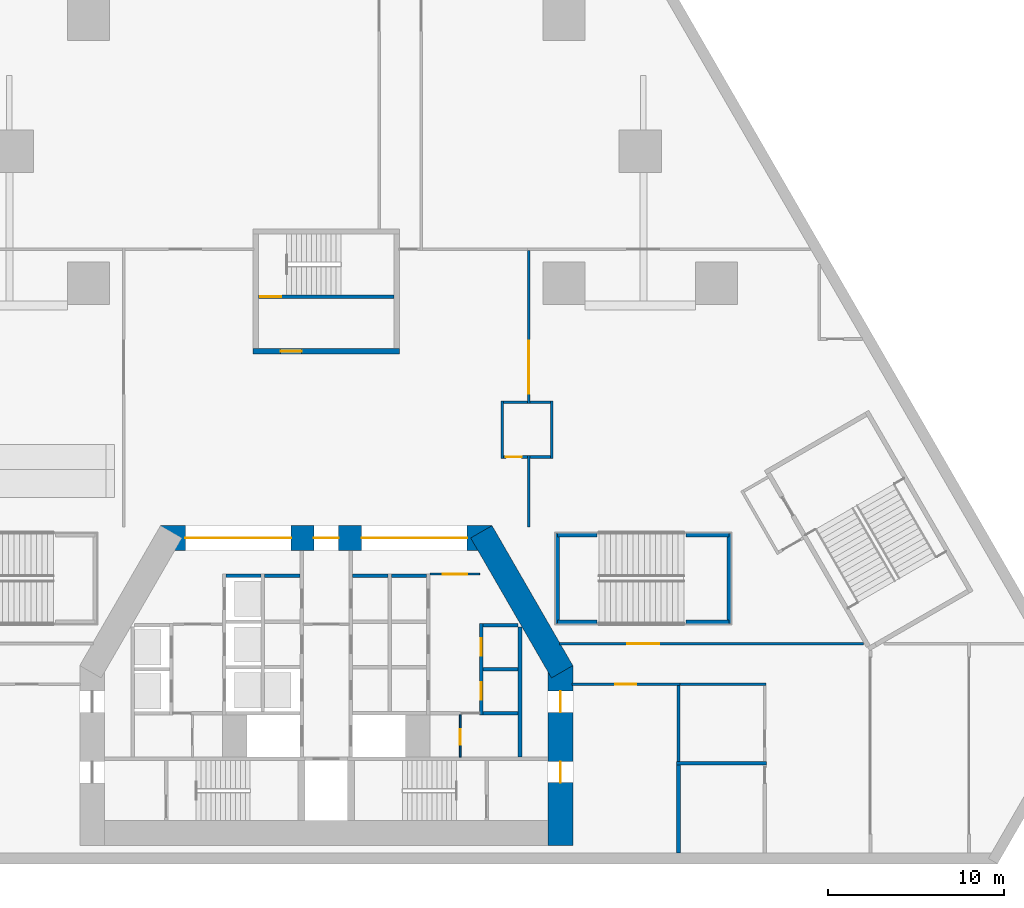
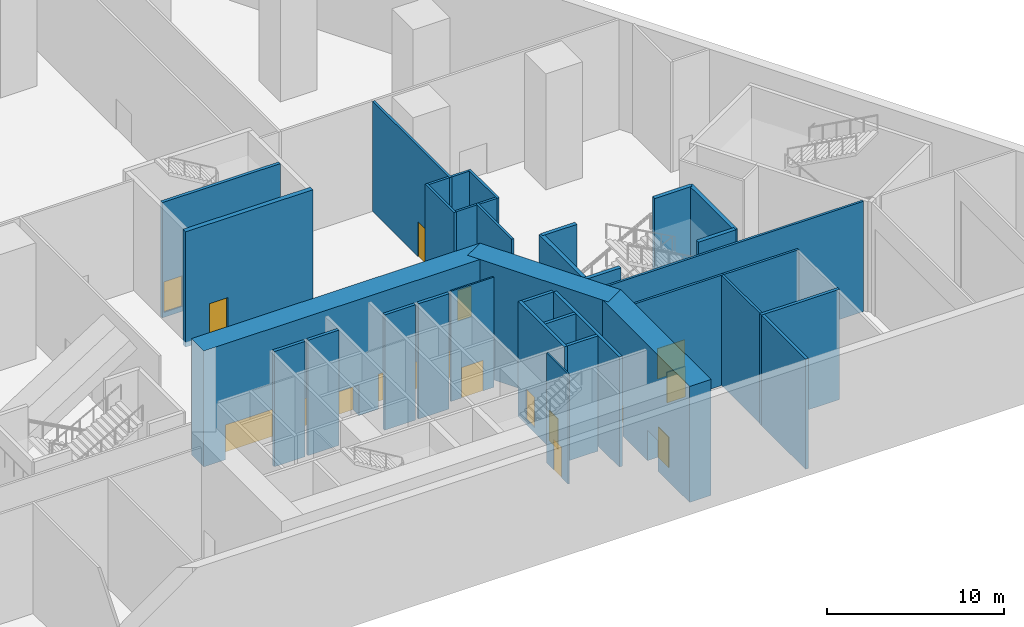
# One storey, part 4 of 11: 36 walls, 15 doors, 15 openings.
"""IFC4 building model written with IfcOpenShell, lengths in metres."""

from ifc_helpers import new_model, si_unit, direction, frame, frame_2d, origin, place, context, subcontext, project, spatial, rectangle, extrude, material, layer, layer_set, type_object, element, fill, save


model = new_model("IFC4")

# Units and contexts
model_context = context("Model", 3, precision=1e-05, world=origin(), true_north=direction((0.0, 1.0)))
body_context = subcontext(model_context, "Body", "Model", "MODEL_VIEW")
ifc_project = project(units=[si_unit("LENGTHUNIT", "METRE"), si_unit("AREAUNIT", "SQUARE_METRE"), si_unit("VOLUMEUNIT", "CUBIC_METRE"), si_unit("PLANEANGLEUNIT", "RADIAN"), si_unit("MASSUNIT", "GRAM", prefix="KILO")], contexts=[model_context])

# Site, building, storey
site_placement = place(None, origin())
site = spatial("IfcSite", under=ifc_project, at=site_placement, CompositionType="ELEMENT")
building_placement = place(site_placement, origin())
building = spatial("IfcBuilding", under=site, at=building_placement, Name="Fogline Exchange Tower", CompositionType="ELEMENT")
storey_placement = place(building_placement, frame((0.0, 0.0, -8.0)))
storey = spatial("IfcBuildingStorey", under=building, at=storey_placement, Name="B1", CompositionType="ELEMENT", Elevation=-8.0)

# Wall, opening, door
ifc_material_1 = material(Name="Blockwork partition", Category="masonry")
ifc_layer_1 = layer(ifc_material_1, 0.10009765625)
ifc_layer_set_1 = layer_set([ifc_layer_1], Name="CW10")
wall_type_1 = type_object("IfcWallType", Name="CW10", PredefinedType="PARTITIONING", material=ifc_layer_set_1)
wall_1_placement = place(storey_placement, frame((5.89990234375, 16.25, 0.0), z_axis=(0.0, 0.0, 1.0), x_axis=(1.0, 0.0, 0.0)))
wall_1 = element("IfcWall", 1, at=wall_1_placement, inside=storey, type_object=wall_type_1, Name="Lift lobby partition", PredefinedType="PARTITIONING", context=body_context, shape_type="SweptSolid", body=[
    extrude(rectangle(XDim=2.800048828125, YDim=0.10009765625, at=frame_2d((1.39990234375, 0.0))), origin(), (0.0, 0.0, 1.0), 7.60009765625),
])
opening_1_placement = place(wall_1_placement, frame((0.699951171875, 0.0, 0.0)))
opening_1 = element("IfcOpeningElement", 2, at=opening_1_placement, cuts=wall_1, Name="Opening B1-C017", PredefinedType="OPENING", context=body_context, shape_type="SweptSolid", body=[
    extrude(rectangle(XDim=1.39990234375, YDim=2.10009765625, at=frame_2d((0.699951171875, 1.050048828125))), frame((0.0, 0.06005859375, 0.0), z_axis=(0.0, -1.0, 0.0), x_axis=(1.0, 0.0, 0.0)), (0.0, 0.0, 1.0), 0.1201171875),
])
ifc_material_2 = material(Name="Steel and timber fire door", Category="steel")
door_type_1 = type_object("IfcDoorType", Name="D-LB1", OperationType="DOUBLE_DOOR_SINGLE_SWING", PredefinedType="DOOR", material=ifc_material_2)
door_1_placement = place(opening_1_placement, origin())
door_1 = element("IfcDoor", 3, at=door_1_placement, inside=storey, type_object=door_type_1, Name="Door to lift lobby", OperationType="DOUBLE_DOOR_SINGLE_SWING", OverallHeight=2.10009765625, OverallWidth=1.39990234375, PredefinedType="DOOR", context=body_context, shape_type="SweptSolid", body=[
    extrude(rectangle(XDim=1.39990234375, YDim=2.10009765625, at=frame_2d((0.699951171875, 1.050048828125))), frame((0.0, 0.02490234375, 0.0), z_axis=(0.0, -1.0, 0.0), x_axis=(1.0, 0.0, 0.0)), (0.0, 0.0, 1.0), 0.050048828125),
])
fill(opening_1, door_1)

wall_2_placement = place(storey_placement, frame((7.60009765625, 5.85009765625, 0.0), z_axis=(0.0, 0.0, 1.0), x_axis=(0.0, 1.0, 0.0)))
wall_2 = element("IfcWall", 4, at=wall_2_placement, inside=storey, type_object=wall_type_1, Name="WC partition", PredefinedType="PARTITIONING", context=body_context, shape_type="SweptSolid", body=[
    extrude(rectangle(XDim=2.39990234375, YDim=0.10009765625, at=frame_2d((1.199951171875, 0.0))), origin(), (0.0, 0.0, 1.0), 7.60009765625),
])
opening_2_placement = place(wall_2_placement, frame((0.699951171875, 0.0, 0.0)))
opening_2 = element("IfcOpeningElement", 5, at=opening_2_placement, cuts=wall_2, Name="Opening B1-C019", PredefinedType="OPENING", context=body_context, shape_type="SweptSolid", body=[
    extrude(rectangle(XDim=0.89990234375, YDim=2.10009765625, at=frame_2d((0.449951171875, 1.050048828125))), frame((0.0, 0.06005859375, 0.0), z_axis=(0.0, -1.0, 0.0), x_axis=(1.0, 0.0, 0.0)), (0.0, 0.0, 1.0), 0.1201171875),
])
door_type_2 = type_object("IfcDoorType", Name="D-CS1", OperationType="SINGLE_SWING_RIGHT", PredefinedType="DOOR", material=ifc_material_2)
door_2_placement = place(opening_2_placement, origin())
door_2 = element("IfcDoor", 6, at=door_2_placement, inside=storey, type_object=door_type_2, Name="Door to Cleaner's Store", OperationType="SINGLE_SWING_LEFT", OverallHeight=2.10009765625, OverallWidth=0.89990234375, PredefinedType="DOOR", context=body_context, shape_type="SweptSolid", body=[
    extrude(rectangle(XDim=0.89990234375, YDim=2.10009765625, at=frame_2d((0.449951171875, 1.050048828125))), frame((0.0, 0.02490234375, 0.0), z_axis=(0.0, -1.0, 0.0), x_axis=(1.0, 0.0, 0.0)), (0.0, 0.0, 1.0), 0.050048828125),
])
fill(opening_2, door_2)

# Wall
ifc_material_3 = material(Name="Concrete C40", Category="concrete")
ifc_layer_2 = layer(ifc_material_3, 0.199951171875)
ifc_layer_set_2 = layer_set([ifc_layer_2], Name="CW20")
wall_type_2 = type_object("IfcWallType", Name="CW20", PredefinedType="SOLIDWALL", material=ifc_layer_set_2)
wall_3_placement = place(storey_placement, frame((11.0, 5.85009765625, 0.0), z_axis=(0.0, 0.0, 1.0), x_axis=(0.0, 1.0, 0.0)))
element("IfcWall", 7, at=wall_3_placement, inside=storey, type_object=wall_type_2, Name="Service room wall", PredefinedType="SOLIDWALL", context=body_context, shape_type="SweptSolid", body=[
    extrude(rectangle(XDim=7.39990234375, YDim=0.199951171875, at=frame_2d((3.699951171875, 0.0))), origin(), (0.0, 0.0, 1.0), 7.60009765625),
])

# Wall, opening, door
ifc_layer_3 = layer(ifc_material_3, 0.199951171875)
ifc_layer_set_3 = layer_set([ifc_layer_3], Name="CW20R")
wall_type_3 = type_object("IfcWallType", Name="CW20R", PredefinedType="SOLIDWALL", material=ifc_layer_set_3)
wall_4_placement = place(storey_placement, frame((-3.85009765625, 32.007080078125, -0.35009765625), z_axis=(0.0, 0.0, 1.0), x_axis=(1.0, 0.0, 0.0)))
wall_4 = element("IfcWall", 8, at=wall_4_placement, inside=storey, type_object=wall_type_3, Name="Stair enclosure wall ST3", PredefinedType="SOLIDWALL", context=body_context, shape_type="SweptSolid", body=[
    extrude(rectangle(XDim=7.7001953125, YDim=0.199951171875, at=frame_2d((3.85009765625, 0.0))), origin(), (0.0, 0.0, 1.0), 7.9501953125),
])
opening_3_placement = place(wall_4_placement, frame((0.10009765625, 0.0, 0.35009765625)))
opening_3 = element("IfcOpeningElement", 9, at=opening_3_placement, cuts=wall_4, Name="Opening B1-C028", PredefinedType="OPENING", context=body_context, shape_type="SweptSolid", body=[
    extrude(rectangle(XDim=1.199951171875, YDim=2.10009765625, at=frame_2d((0.60009765625, 1.050048828125))), frame((0.0, 0.10986328125, 0.0), z_axis=(0.0, -1.0, 0.0), x_axis=(1.0, 0.0, 0.0)), (0.0, 0.0, 1.0), 0.219970703125),
])
door_type_3 = type_object("IfcDoorType", Name="D-ST1", OperationType="SINGLE_SWING_LEFT", PredefinedType="DOOR", material=ifc_material_2)
door_3_placement = place(opening_3_placement, origin())
door_3 = element("IfcDoor", 10, at=door_3_placement, inside=storey, type_object=door_type_3, Name="Stair door ST3", OperationType="SINGLE_SWING_LEFT", OverallHeight=2.10009765625, OverallWidth=1.199951171875, PredefinedType="DOOR", context=body_context, shape_type="SweptSolid", body=[
    extrude(rectangle(XDim=1.199951171875, YDim=2.10009765625, at=frame_2d((0.60009765625, 1.050048828125))), frame((0.0, 0.02490234375, 0.0), z_axis=(0.0, -1.0, 0.0), x_axis=(1.0, 0.0, 0.0)), (0.0, 0.0, 1.0), 0.050048828125),
])
fill(opening_3, door_3)

# Wall, openings, doors
ifc_layer_4 = layer(ifc_material_3, 0.199951171875)
ifc_layer_set_4 = layer_set([ifc_layer_4], Name="CW20S")
wall_type_4 = type_object("IfcWallType", Name="CW20S", PredefinedType="SOLIDWALL", material=ifc_layer_set_4)
wall_5_placement = place(storey_placement, frame((8.800048828125, 8.25, -0.35009765625), z_axis=(0.0, 0.0, 1.0), x_axis=(0.0, 1.0, 0.0)))
wall_5 = element("IfcWall", 11, at=wall_5_placement, inside=storey, type_object=wall_type_4, Name="Lift shaft wall", PredefinedType="SOLIDWALL", context=body_context, shape_type="SweptSolid", body=[
    extrude(rectangle(XDim=5.199951171875, YDim=0.199951171875, at=frame_2d((2.60009765625, 0.0))), origin(), (0.0, 0.0, 1.0), 7.9501953125),
])
opening_4_placement = place(wall_5_placement, frame((0.85009765625, 0.0, 0.35009765625)))
opening_4 = element("IfcOpeningElement", 12, at=opening_4_placement, cuts=wall_5, Name="Opening B1-C003", PredefinedType="OPENING", context=body_context, shape_type="SweptSolid", body=[
    extrude(rectangle(XDim=1.0, YDim=2.10009765625, at=frame_2d((0.5, 1.050048828125))), frame((0.0, 0.10986328125, 0.0), z_axis=(0.0, -1.0, 0.0), x_axis=(1.0, 0.0, 0.0)), (0.0, 0.0, 1.0), 0.219970703125),
])
opening_5_placement = place(wall_5_placement, frame((3.35009765625, 0.0, 0.35009765625)))
opening_5 = element("IfcOpeningElement", 13, at=opening_5_placement, cuts=wall_5, Name="Opening B1-C004", PredefinedType="OPENING", context=body_context, shape_type="SweptSolid", body=[
    extrude(rectangle(XDim=1.0, YDim=2.10009765625, at=frame_2d((0.5, 1.050048828125))), frame((0.0, 0.10986328125, 0.0), z_axis=(0.0, -1.0, 0.0), x_axis=(1.0, 0.0, 0.0)), (0.0, 0.0, 1.0), 0.219970703125),
])
door_type_4 = type_object("IfcDoorType", Name="D-RM1", OperationType="SINGLE_SWING_LEFT", PredefinedType="DOOR", material=ifc_material_2)
door_4_placement = place(opening_4_placement, frame((1.0, 0.0, 0.0), z_axis=(0.0, 0.0, 1.0), x_axis=(-1.0, 0.0, 0.0)))
door_4 = element("IfcDoor", 14, at=door_4_placement, inside=storey, type_object=door_type_4, Name="Door to Stationery Store", OperationType="SINGLE_SWING_LEFT", OverallHeight=2.10009765625, OverallWidth=1.0, PredefinedType="DOOR", context=body_context, shape_type="SweptSolid", body=[
    extrude(rectangle(XDim=1.0, YDim=2.10009765625, at=frame_2d((0.5, 1.050048828125))), frame((0.0, 0.02490234375, 0.0), z_axis=(0.0, -1.0, 0.0), x_axis=(1.0, 0.0, 0.0)), (0.0, 0.0, 1.0), 0.050048828125),
])
fill(opening_4, door_4)
door_5_placement = place(opening_5_placement, frame((1.0, 0.0, 0.0), z_axis=(0.0, 0.0, 1.0), x_axis=(-1.0, 0.0, 0.0)))
door_5 = element("IfcDoor", 15, at=door_5_placement, inside=storey, type_object=door_type_4, Name="Door to Records Store", OperationType="SINGLE_SWING_LEFT", OverallHeight=2.10009765625, OverallWidth=1.0, PredefinedType="DOOR", context=body_context, shape_type="SweptSolid", body=[
    extrude(rectangle(XDim=1.0, YDim=2.10009765625, at=frame_2d((0.5, 1.050048828125))), frame((0.0, 0.02490234375, 0.0), z_axis=(0.0, -1.0, 0.0), x_axis=(1.0, 0.0, 0.0)), (0.0, 0.0, 1.0), 0.050048828125),
])
fill(opening_5, door_5)

# Walls
for number, where, z_axis, x_axis, name in (
    (16, (8.89990234375, 8.35009765625, -0.35009765625), (0.0, 0.0, 1.0), (1.0, 0.0, 0.0), "Lift shaft wall"),
    (17, (-5.699951171875, 16.14990234375, -0.35009765625), (0.0, 0.0, 1.0), (1.0, 0.0, 0.0), "Lift shaft wall"),
    (18, (-3.5, 16.14990234375, -0.35009765625), (0.0, 0.0, 1.0), (1.0, 0.0, 0.0), "Lift shaft wall"),
    (19, (8.89990234375, 10.85009765625, -0.35009765625), (0.0, 0.0, 1.0), (1.0, 0.0, 0.0), "Lift shaft wall"),
    (20, (8.89990234375, 13.35009765625, -0.35009765625), (0.0, 0.0, 1.0), (1.0, 0.0, 0.0), "Lift shaft wall"),
    (21, (3.699951171875, 16.14990234375, -0.35009765625), (0.0, 0.0, 1.0), (1.0, 0.0, 0.0), "Lift shaft wall"),
    (22, (1.5, 16.14990234375, -0.35009765625), (0.0, 0.0, 1.0), (1.0, 0.0, 0.0), "Lift shaft wall"),
):
    element("IfcWall", number, at=place(storey_placement, frame(where, z_axis=z_axis, x_axis=x_axis)), inside=storey, type_object=wall_type_4, Name=name, PredefinedType="SOLIDWALL", context=body_context, shape_type="SweptSolid", body=[
        extrude(rectangle(XDim=2.0, YDim=0.199951171875, at=frame_2d((1.0, 0.0))), origin(), (0.0, 0.0, 1.0), 7.9501953125),
    ])

# Wall, opening, door
ifc_layer_5 = layer(ifc_material_3, 0.300048828125)
ifc_layer_set_5 = layer_set([ifc_layer_5], Name="CW30")
wall_type_5 = type_object("IfcWallType", Name="CW30", PredefinedType="SOLIDWALL", material=ifc_layer_set_5)
wall_6_placement = place(storey_placement, frame((-4.14990234375, 28.906982421875, -0.35009765625), z_axis=(0.0, 0.0, 1.0), x_axis=(1.0, 0.0, 0.0)))
wall_6 = element("IfcWall", 23, at=wall_6_placement, inside=storey, type_object=wall_type_5, Name="Stair enclosure wall ST3", PredefinedType="SOLIDWALL", context=body_context, shape_type="SweptSolid", body=[
    extrude(rectangle(XDim=8.2998046875, YDim=0.300048828125, at=frame_2d((4.14990234375, 0.0))), origin(), (0.0, 0.0, 1.0), 7.9501953125),
])
opening_6_placement = place(wall_6_placement, frame((1.550048828125, 0.0, 0.35009765625)))
opening_6 = element("IfcOpeningElement", 24, at=opening_6_placement, cuts=wall_6, Name="Opening B1-C027", PredefinedType="OPENING", context=body_context, shape_type="SweptSolid", body=[
    extrude(rectangle(XDim=1.199951171875, YDim=2.10009765625, at=frame_2d((0.60009765625, 1.050048828125))), frame((0.0, 0.16015625, 0.0), z_axis=(0.0, -1.0, 0.0), x_axis=(1.0, 0.0, 0.0)), (0.0, 0.0, 1.0), 0.320068359375),
])
door_type_5 = type_object("IfcDoorType", Name="D-FR1", OperationType="SINGLE_SWING_RIGHT", PredefinedType="DOOR", material=ifc_material_2)
door_6_placement = place(opening_6_placement, origin())
door_6 = element("IfcDoor", 25, at=door_6_placement, inside=storey, type_object=door_type_5, Name="Front room door ST3", OperationType="SINGLE_SWING_LEFT", OverallHeight=2.10009765625, OverallWidth=1.199951171875, PredefinedType="DOOR", context=body_context, shape_type="SweptSolid", body=[
    extrude(rectangle(XDim=1.199951171875, YDim=2.10009765625, at=frame_2d((0.60009765625, 1.050048828125))), frame((0.0, 0.02490234375, 0.0), z_axis=(0.0, -1.0, 0.0), x_axis=(1.0, 0.0, 0.0)), (0.0, 0.0, 1.0), 0.050048828125),
])
fill(opening_6, door_6)

# Wall
ifc_material_4 = material(Name="Plasterboard on steel stud", Category="steel")
ifc_layer_6 = layer(ifc_material_4, 0.14990234375)
ifc_layer_set_6 = layer_set([ifc_layer_6], Name="PP1")
wall_type_6 = type_object("IfcWallType", Name="PP1", PredefinedType="PARTITIONING", material=ifc_layer_set_6)
wall_7_placement = place(storey_placement, frame((20.0, 9.925048828125, 0.0), z_axis=(0.0, 0.0, 1.0), x_axis=(0.0, -1.0, 0.0)))
element("IfcWall", 26, at=wall_7_placement, inside=storey, type_object=wall_type_6, Name="PP1 partition", PredefinedType="PARTITIONING", context=body_context, shape_type="SweptSolid", body=[
    extrude(rectangle(XDim=4.324951171875, YDim=0.14990234375, at=frame_2d((2.16259765625, 0.0))), origin(), (0.0, 0.0, 1.0), 7.60009765625),
])

# Wall, opening, door
wall_8_placement = place(storey_placement, frame((13.955078125, 10.0, 0.0), z_axis=(0.0, 0.0, 1.0), x_axis=(1.0, 0.0, 0.0)))
wall_8 = element("IfcWall", 27, at=wall_8_placement, inside=storey, type_object=wall_type_6, Name="PP1 partition", PredefinedType="PARTITIONING", context=body_context, shape_type="SweptSolid", body=[
    extrude(rectangle(XDim=6.119873046875, YDim=0.14990234375, at=frame_2d((3.06005859375, 0.0))), origin(), (0.0, 0.0, 1.0), 7.60009765625),
])
opening_7_placement = place(wall_8_placement, frame((2.445068359375, 0.0, 0.0)))
opening_7 = element("IfcOpeningElement", 28, at=opening_7_placement, cuts=wall_8, Name="Opening B1-D009", PredefinedType="OPENING", context=body_context, shape_type="SweptSolid", body=[
    extrude(rectangle(XDim=1.199951171875, YDim=2.10009765625, at=frame_2d((0.60009765625, 1.050048828125))), frame((0.0, 0.0849609375, 0.0), z_axis=(0.0, -1.0, 0.0), x_axis=(1.0, 0.0, 0.0)), (0.0, 0.0, 1.0), 0.169921875),
])
ifc_material_5 = material(Name="Steel Q235B", Category="steel")
door_type_6 = type_object("IfcDoorType", Name="PD7", OperationType="SINGLE_SWING_LEFT", PredefinedType="DOOR", material=ifc_material_5)
door_7_placement = place(opening_7_placement, frame((1.199951171875, 0.0, 0.0), z_axis=(0.0, 0.0, 1.0), x_axis=(-1.0, 0.0, 0.0)))
door_7 = element("IfcDoor", 29, at=door_7_placement, inside=storey, type_object=door_type_6, Name="B1-D009", OperationType="SINGLE_SWING_LEFT", OverallHeight=2.10009765625, OverallWidth=1.199951171875, PredefinedType="DOOR", context=body_context, shape_type="SweptSolid", body=[
    extrude(rectangle(XDim=1.199951171875, YDim=2.10009765625, at=frame_2d((0.60009765625, 1.050048828125))), frame((0.0, 0.02490234375, 0.0), z_axis=(0.0, -1.0, 0.0), x_axis=(1.0, 0.0, 0.0)), (0.0, 0.0, 1.0), 0.050048828125),
])
fill(opening_7, door_7)

# Wall
wall_9_placement = place(storey_placement, frame((24.97509765625, 10.0, 0.0), z_axis=(0.0, 0.0, 1.0), x_axis=(-1.0, 0.0, 0.0)))
element("IfcWall", 30, at=wall_9_placement, inside=storey, type_object=wall_type_6, Name="PP1 partition", PredefinedType="PARTITIONING", context=body_context, shape_type="SweptSolid", body=[
    extrude(rectangle(XDim=4.900146484375, YDim=0.14990234375, at=frame_2d((2.4501953125, 0.0))), origin(), (0.0, 0.0, 1.0), 7.60009765625),
])

# Wall, opening, door
wall_10_placement = place(storey_placement, frame((13.239501953125, 12.300048828125, 0.0), z_axis=(0.0, 0.0, 1.0), x_axis=(1.0, 0.0, 0.0)))
wall_10 = element("IfcWall", 31, at=wall_10_placement, inside=storey, type_object=wall_type_6, Name="PP1 partition", PredefinedType="PARTITIONING", context=body_context, shape_type="SweptSolid", body=[
    extrude(rectangle(XDim=17.2626953125, YDim=0.14990234375, at=frame_2d((8.63134765625, 0.0))), origin(), (0.0, 0.0, 1.0), 7.60009765625),
])
opening_8_placement = place(wall_10_placement, frame((3.860595703125, 0.0, 0.0)))
opening_8 = element("IfcOpeningElement", 32, at=opening_8_placement, cuts=wall_10, Name="Opening B1-D010", PredefinedType="OPENING", context=body_context, shape_type="SweptSolid", body=[
    extrude(rectangle(XDim=1.800048828125, YDim=2.10009765625, at=frame_2d((0.89990234375, 1.050048828125))), frame((0.0, 0.0849609375, 0.0), z_axis=(0.0, -1.0, 0.0), x_axis=(1.0, 0.0, 0.0)), (0.0, 0.0, 1.0), 0.169921875),
])
ifc_material_6 = material(Name="Timber", Category="wood")
door_type_7 = type_object("IfcDoorType", Name="PD3", OperationType="DOUBLE_DOOR_SINGLE_SWING", PredefinedType="DOOR", material=ifc_material_6)
door_8_placement = place(opening_8_placement, origin())
door_8 = element("IfcDoor", 33, at=door_8_placement, inside=storey, type_object=door_type_7, Name="B1-D010", OperationType="DOUBLE_DOOR_SINGLE_SWING", OverallHeight=2.10009765625, OverallWidth=1.800048828125, PredefinedType="DOOR", context=body_context, shape_type="SweptSolid", body=[
    extrude(rectangle(XDim=1.800048828125, YDim=2.10009765625, at=frame_2d((0.89990234375, 1.050048828125))), frame((0.0, 0.02490234375, 0.0), z_axis=(0.0, -1.0, 0.0), x_axis=(1.0, 0.0, 0.0)), (0.0, 0.0, 1.0), 0.050048828125),
])
fill(opening_8, door_8)

# Wall
wall_11_placement = place(storey_placement, frame((10.0, 22.824951171875, 0.0), z_axis=(0.0, 0.0, 1.0), x_axis=(0.0, 1.0, 0.0)))
element("IfcWall", 34, at=wall_11_placement, inside=storey, type_object=wall_type_6, Name="PP1 partition", PredefinedType="PARTITIONING", context=body_context, shape_type="SweptSolid", body=[
    extrude(rectangle(XDim=3.25, YDim=0.14990234375, at=frame_2d((1.625, 0.0))), origin(), (0.0, 0.0, 1.0), 7.60009765625),
])

# Wall, opening, door
wall_12_placement = place(storey_placement, frame((11.425048828125, 22.89990234375, 0.0), z_axis=(0.0, 0.0, 1.0), x_axis=(-1.0, 0.0, 0.0)))
wall_12 = element("IfcWall", 35, at=wall_12_placement, inside=storey, type_object=wall_type_6, Name="PP1 partition", PredefinedType="PARTITIONING", context=body_context, shape_type="SweptSolid", body=[
    extrude(rectangle(XDim=1.35009765625, YDim=0.14990234375, at=frame_2d((0.675048828125, 0.0))), origin(), (0.0, 0.0, 1.0), 7.60009765625),
])
opening_9_placement = place(wall_12_placement, frame((0.330078125, 0.0, 0.0)))
opening_9 = element("IfcOpeningElement", 36, at=opening_9_placement, cuts=wall_12, Name="Opening B1-D020", PredefinedType="OPENING", context=body_context, shape_type="SweptSolid", body=[
    extrude(rectangle(XDim=0.89990234375, YDim=2.10009765625, at=frame_2d((0.449951171875, 1.050048828125))), frame((0.0, 0.0849609375, 0.0), z_axis=(0.0, -1.0, 0.0), x_axis=(1.0, 0.0, 0.0)), (0.0, 0.0, 1.0), 0.169921875),
])
door_type_8 = type_object("IfcDoorType", Name="PD2", OperationType="SINGLE_SWING_LEFT", PredefinedType="DOOR", material=ifc_material_6)
door_9_placement = place(opening_9_placement, frame((0.89990234375, 0.0, 0.0), z_axis=(0.0, 0.0, 1.0), x_axis=(-1.0, 0.0, 0.0)))
door_9 = element("IfcDoor", 37, at=door_9_placement, inside=storey, type_object=door_type_8, Name="B1-D020", OperationType="SINGLE_SWING_LEFT", OverallHeight=2.10009765625, OverallWidth=0.89990234375, PredefinedType="DOOR", context=body_context, shape_type="SweptSolid", body=[
    extrude(rectangle(XDim=0.89990234375, YDim=2.10009765625, at=frame_2d((0.449951171875, 1.050048828125))), frame((0.0, 0.02490234375, 0.0), z_axis=(0.0, -1.0, 0.0), x_axis=(1.0, 0.0, 0.0)), (0.0, 0.0, 1.0), 0.050048828125),
])
fill(opening_9, door_9)

# Walls
wall_13_placement = place(storey_placement, frame((12.72509765625, 22.89990234375, 0.0), z_axis=(0.0, 0.0, 1.0), x_axis=(-1.0, 0.0, 0.0)))
element("IfcWall", 38, at=wall_13_placement, inside=storey, type_object=wall_type_6, Name="PP1 partition", PredefinedType="PARTITIONING", context=body_context, shape_type="SweptSolid", body=[
    extrude(rectangle(XDim=1.150146484375, YDim=0.14990234375, at=frame_2d((0.5751953125, 0.0))), origin(), (0.0, 0.0, 1.0), 7.60009765625),
])
wall_14_placement = place(storey_placement, frame((11.5, 22.97509765625, 0.0), z_axis=(0.0, 0.0, 1.0), x_axis=(0.0, -1.0, 0.0)))
element("IfcWall", 39, at=wall_14_placement, inside=storey, type_object=wall_type_6, Name="PP1 partition", PredefinedType="PARTITIONING", context=body_context, shape_type="SweptSolid", body=[
    extrude(rectangle(XDim=4.050048828125, YDim=0.14990234375, at=frame_2d((2.02490234375, 0.0))), origin(), (0.0, 0.0, 1.0), 7.60009765625),
])
wall_15_placement = place(storey_placement, frame((10.074951171875, 26.0, 0.0), z_axis=(0.0, 0.0, 1.0), x_axis=(1.0, 0.0, 0.0)))
element("IfcWall", 40, at=wall_15_placement, inside=storey, type_object=wall_type_6, Name="PP1 partition", PredefinedType="PARTITIONING", context=body_context, shape_type="SweptSolid", body=[
    extrude(rectangle(XDim=1.35009765625, YDim=0.14990234375, at=frame_2d((0.675048828125, 0.0))), origin(), (0.0, 0.0, 1.0), 7.60009765625),
])
wall_16_placement = place(storey_placement, frame((11.574951171875, 26.0, 0.0), z_axis=(0.0, 0.0, 1.0), x_axis=(1.0, 0.0, 0.0)))
element("IfcWall", 41, at=wall_16_placement, inside=storey, type_object=wall_type_6, Name="PP1 partition", PredefinedType="PARTITIONING", context=body_context, shape_type="SweptSolid", body=[
    extrude(rectangle(XDim=1.150146484375, YDim=0.14990234375, at=frame_2d((0.5751953125, 0.0))), origin(), (0.0, 0.0, 1.0), 7.60009765625),
])
wall_17_placement = place(storey_placement, frame((12.800048828125, 26.074951171875, 0.0), z_axis=(0.0, 0.0, 1.0), x_axis=(0.0, -1.0, 0.0)))
element("IfcWall", 42, at=wall_17_placement, inside=storey, type_object=wall_type_6, Name="PP1 partition", PredefinedType="PARTITIONING", context=body_context, shape_type="SweptSolid", body=[
    extrude(rectangle(XDim=3.25, YDim=0.14990234375, at=frame_2d((1.625, 0.0))), origin(), (0.0, 0.0, 1.0), 7.60009765625),
])

# Wall, opening, door
wall_18_placement = place(storey_placement, frame((11.5, 34.625, 0.0), z_axis=(0.0, 0.0, 1.0), x_axis=(0.0, -1.0, 0.0)))
wall_18 = element("IfcWall", 43, at=wall_18_placement, inside=storey, type_object=wall_type_6, Name="PP1 partition", PredefinedType="PARTITIONING", context=body_context, shape_type="SweptSolid", body=[
    extrude(rectangle(XDim=8.699951171875, YDim=0.14990234375, at=frame_2d((4.35009765625, 0.0))), origin(), (0.0, 0.0, 1.0), 7.60009765625),
])
opening_10_placement = place(wall_18_placement, frame((5.125, 0.0, 0.0)))
opening_10 = element("IfcOpeningElement", 44, at=opening_10_placement, cuts=wall_18, Name="Opening B1-D003", PredefinedType="OPENING", context=body_context, shape_type="SweptSolid", body=[
    extrude(rectangle(XDim=3.0, YDim=2.39990234375, at=frame_2d((1.5, 1.199951171875))), frame((0.0, 0.0849609375, 0.0), z_axis=(0.0, -1.0, 0.0), x_axis=(1.0, 0.0, 0.0)), (0.0, 0.0, 1.0), 0.169921875),
])
door_type_9 = type_object("IfcDoorType", Name="PD13", OperationType="DOUBLE_DOOR_SINGLE_SWING", PredefinedType="DOOR", material=ifc_material_5)
door_10_placement = place(opening_10_placement, frame((3.0, 0.0, 0.0), z_axis=(0.0, 0.0, 1.0), x_axis=(-1.0, 0.0, 0.0)))
door_10 = element("IfcDoor", 45, at=door_10_placement, inside=storey, type_object=door_type_9, Name="B1-D003", OperationType="DOUBLE_DOOR_SINGLE_SWING", OverallHeight=2.39990234375, OverallWidth=3.0, PredefinedType="DOOR", context=body_context, shape_type="SweptSolid", body=[
    extrude(rectangle(XDim=3.0, YDim=2.39990234375, at=frame_2d((1.5, 1.199951171875))), frame((0.0, 0.02490234375, 0.0), z_axis=(0.0, -1.0, 0.0), x_axis=(1.0, 0.0, 0.0)), (0.0, 0.0, 1.0), 0.050048828125),
])
fill(opening_10, door_10)

# Walls
ifc_material_7 = material(Name="Concrete block masonry", Category="masonry")
ifc_layer_7 = layer(ifc_material_7, 0.199951171875)
ifc_layer_set_7 = layer_set([ifc_layer_7], Name="PP2")
wall_type_7 = type_object("IfcWallType", Name="PP2", PredefinedType="PARTITIONING", material=ifc_layer_set_7)
wall_19_placement = place(storey_placement, frame((20.0, 5.39990234375, 0.0), z_axis=(0.0, 0.0, 1.0), x_axis=(0.0, -1.0, 0.0)))
element("IfcWall", 46, at=wall_19_placement, inside=storey, type_object=wall_type_7, Name="PP2 partition", PredefinedType="PARTITIONING", context=body_context, shape_type="SweptSolid", body=[
    extrude(rectangle(XDim=5.0, YDim=0.199951171875, at=frame_2d((2.5, 0.0))), origin(), (0.0, 0.0, 1.0), 7.60009765625),
])
wall_20_placement = place(storey_placement, frame((25.0, 5.5, 0.0), z_axis=(0.0, 0.0, 1.0), x_axis=(-1.0, 0.0, 0.0)))
element("IfcWall", 47, at=wall_20_placement, inside=storey, type_object=wall_type_7, Name="PP2 partition", PredefinedType="PARTITIONING", context=body_context, shape_type="SweptSolid", body=[
    extrude(rectangle(XDim=5.10009765625, YDim=0.199951171875, at=frame_2d((2.550048828125, 0.0))), origin(), (0.0, 0.0, 1.0), 7.60009765625),
])
ifc_layer_8 = layer(ifc_material_3, 0.25)
ifc_layer_set_8 = layer_set([ifc_layer_8], Name="PP6")
wall_type_8 = type_object("IfcWallType", Name="PP6", PredefinedType="SOLIDWALL", material=ifc_layer_set_8)
wall_21_placement = place(storey_placement, frame((13.125, 13.449951171875, 0.0), z_axis=(0.0, 0.0, 1.0), x_axis=(0.0, 1.0, 0.0)))
element("IfcWall", 48, at=wall_21_placement, inside=storey, type_object=wall_type_8, Name="PP6 bearing wall", PredefinedType="SOLIDWALL", context=body_context, shape_type="SweptSolid", body=[
    extrude(rectangle(XDim=5.10009765625, YDim=0.25, at=frame_2d((2.550048828125, 0.0))), origin(), (0.0, 0.0, 1.0), 7.60009765625),
])
for number, where, z_axis, x_axis, name in (
    (49, (13.125, 13.52490234375, 0.0), (0.0, 0.0, 1.0), (1.0, 0.0, 0.0), "PP6 bearing wall"),
    (50, (13.125, 18.47509765625, 0.0), (0.0, 0.0, 1.0), (1.0, 0.0, 0.0), "PP6 bearing wall"),
):
    element("IfcWall", number, at=place(storey_placement, frame(where, z_axis=z_axis, x_axis=x_axis)), inside=storey, type_object=wall_type_8, Name=name, PredefinedType="SOLIDWALL", context=body_context, shape_type="SweptSolid", body=[
        extrude(rectangle(XDim=2.25, YDim=0.25, at=frame_2d((1.125, 0.0))), origin(), (0.0, 0.0, 1.0), 7.60009765625),
    ])
wall_22_placement = place(storey_placement, frame((22.875, 13.449951171875, 0.0), z_axis=(0.0, 0.0, 1.0), x_axis=(0.0, 1.0, 0.0)))
element("IfcWall", 51, at=wall_22_placement, inside=storey, type_object=wall_type_8, Name="PP6 bearing wall", PredefinedType="SOLIDWALL", context=body_context, shape_type="SweptSolid", body=[
    extrude(rectangle(XDim=5.10009765625, YDim=0.25, at=frame_2d((2.550048828125, 0.0))), origin(), (0.0, 0.0, 1.0), 7.60009765625),
])
for number, where, z_axis, x_axis, name in (
    (52, (22.875, 13.52490234375, 0.0), (0.0, 0.0, 1.0), (-1.0, 0.0, 0.0), "PP6 bearing wall"),
    (53, (22.875, 18.47509765625, 0.0), (0.0, 0.0, 1.0), (-1.0, 0.0, 0.0), "PP6 bearing wall"),
):
    element("IfcWall", number, at=place(storey_placement, frame(where, z_axis=z_axis, x_axis=x_axis)), inside=storey, type_object=wall_type_8, Name=name, PredefinedType="SOLIDWALL", context=body_context, shape_type="SweptSolid", body=[
        extrude(rectangle(XDim=2.449951171875, YDim=0.25, at=frame_2d((1.22509765625, 0.0))), origin(), (0.0, 0.0, 1.0), 7.60009765625),
    ])

# Wall, openings, doors
ifc_material_8 = material(Name="Concrete C60", Category="concrete")
ifc_layer_9 = layer(ifc_material_8, 1.39990234375)
ifc_layer_set_9 = layer_set([ifc_layer_9], Name="SW01")
wall_type_9 = type_object("IfcWallType", Name="SW01", PredefinedType="SHEAR", material=ifc_layer_set_9)
wall_23_placement = place(storey_placement, frame((13.300048828125, 0.85009765625, 0.0), z_axis=(0.0, 0.0, 1.0), x_axis=(0.0, 1.0, 0.0)))
wall_23 = element("IfcWall", 54, at=wall_23_placement, inside=storey, type_object=wall_type_9, Name="B1-W902", PredefinedType="SHEAR", context=body_context, shape_type="SweptSolid", body=[
    extrude(rectangle(XDim=10.202392578125, YDim=1.39990234375, at=frame_2d((5.10107421875, 0.0))), origin(), (0.0, 0.0, 1.0), 8.0),
])
opening_11_placement = place(wall_23_placement, frame((3.550048828125, 0.0, 0.0)))
opening_11 = element("IfcOpeningElement", 55, at=opening_11_placement, cuts=wall_23, Name="Opening B1-C020", PredefinedType="OPENING", context=body_context, shape_type="SweptSolid", body=[
    extrude(rectangle(XDim=1.199951171875, YDim=2.10009765625, at=frame_2d((0.60009765625, 1.050048828125))), frame((0.0, 0.7099609375, 0.0), z_axis=(0.0, -1.0, 0.0), x_axis=(1.0, 0.0, 0.0)), (0.0, 0.0, 1.0), 1.419921875),
])
opening_12_placement = place(wall_23_placement, frame((7.550048828125, 0.0, 0.0)))
opening_12 = element("IfcOpeningElement", 56, at=opening_12_placement, cuts=wall_23, Name="Opening B1-C022", PredefinedType="OPENING", context=body_context, shape_type="SweptSolid", body=[
    extrude(rectangle(XDim=1.199951171875, YDim=2.10009765625, at=frame_2d((0.60009765625, 1.050048828125))), frame((0.0, 0.7099609375, 0.0), z_axis=(0.0, -1.0, 0.0), x_axis=(1.0, 0.0, 0.0)), (0.0, 0.0, 1.0), 1.419921875),
])
door_11_placement = place(opening_11_placement, origin())
door_11 = element("IfcDoor", 57, at=door_11_placement, inside=storey, type_object=door_type_5, Name="Front room door ST2", OperationType="SINGLE_SWING_RIGHT", OverallHeight=2.10009765625, OverallWidth=1.199951171875, PredefinedType="DOOR", context=body_context, shape_type="SweptSolid", body=[
    extrude(rectangle(XDim=1.199951171875, YDim=2.10009765625, at=frame_2d((0.60009765625, 1.050048828125))), frame((0.0, 0.02490234375, 0.0), z_axis=(0.0, -1.0, 0.0), x_axis=(1.0, 0.0, 0.0)), (0.0, 0.0, 1.0), 0.050048828125),
])
fill(opening_11, door_11)
door_type_10 = type_object("IfcDoorType", Name="D-SV1", OperationType="SINGLE_SWING_LEFT", PredefinedType="DOOR", material=ifc_material_2)
door_12_placement = place(opening_12_placement, origin())
door_12 = element("IfcDoor", 58, at=door_12_placement, inside=storey, type_object=door_type_10, Name="Service door E", OperationType="SINGLE_SWING_RIGHT", OverallHeight=2.10009765625, OverallWidth=1.199951171875, PredefinedType="DOOR", context=body_context, shape_type="SweptSolid", body=[
    extrude(rectangle(XDim=1.199951171875, YDim=2.10009765625, at=frame_2d((0.60009765625, 1.050048828125))), frame((0.0, 0.02490234375, 0.0), z_axis=(0.0, -1.0, 0.0), x_axis=(1.0, 0.0, 0.0)), (0.0, 0.0, 1.0), 0.050048828125),
])
fill(opening_12, door_12)

# Wall
wall_24_placement = place(storey_placement, frame((13.393798828125, 10.70263671875, 0.0), z_axis=(0.0, 0.0, 1.0), x_axis=(-0.50000187635, 0.866024320471, 0.0)))
element("IfcWall", 59, at=wall_24_placement, inside=storey, type_object=wall_type_9, Name="B1-W903", PredefinedType="SHEAR", context=body_context, shape_type="SweptSolid", body=[
    extrude(rectangle(XDim=9.1767578125, YDim=1.39990234375, at=frame_2d((4.58837890625, 0.0))), origin(), (0.0, 0.0, 1.0), 8.0),
])

# Wall, openings, doors
wall_25_placement = place(storey_placement, frame((9.41162109375, 18.300048828125, 0.0), z_axis=(0.0, 0.0, 1.0), x_axis=(-1.0, 0.0, 0.0)))
wall_25 = element("IfcWall", 60, at=wall_25_placement, inside=storey, type_object=wall_type_9, Name="B1-W904", PredefinedType="SHEAR", context=body_context, shape_type="SweptSolid", body=[
    extrude(rectangle(XDim=18.8232421875, YDim=1.39990234375, at=frame_2d((9.41162109375, 0.0))), origin(), (0.0, 0.0, 1.0), 8.0),
])
opening_13_placement = place(wall_25_placement, frame((8.71142578125, 0.0, 0.0)))
opening_13 = element("IfcOpeningElement", 61, at=opening_13_placement, cuts=wall_25, Name="Opening B1-C024", PredefinedType="OPENING", context=body_context, shape_type="SweptSolid", body=[
    extrude(rectangle(XDim=1.39990234375, YDim=2.10009765625, at=frame_2d((0.699951171875, 1.050048828125))), frame((0.0, 0.7099609375, 0.0), z_axis=(0.0, -1.0, 0.0), x_axis=(1.0, 0.0, 0.0)), (0.0, 0.0, 1.0), 1.419921875),
])
opening_14_placement = place(wall_25_placement, frame((11.41162109375, 0.0, 0.0)))
opening_14 = element("IfcOpeningElement", 62, at=opening_14_placement, cuts=wall_25, Name="Opening B1-C025", PredefinedType="OPENING", context=body_context, shape_type="SweptSolid", body=[
    extrude(rectangle(XDim=6.0, YDim=2.39990234375, at=frame_2d((3.0, 1.199951171875))), frame((0.0, 0.7099609375, 0.0), z_axis=(0.0, -1.0, 0.0), x_axis=(1.0, 0.0, 0.0)), (0.0, 0.0, 1.0), 1.419921875),
])
opening_15_placement = place(wall_25_placement, frame((1.41162109375, 0.0, 0.0)))
opening_15 = element("IfcOpeningElement", 63, at=opening_15_placement, cuts=wall_25, Name="Opening B1-C026", PredefinedType="OPENING", context=body_context, shape_type="SweptSolid", body=[
    extrude(rectangle(XDim=6.0, YDim=2.39990234375, at=frame_2d((3.0, 1.199951171875))), frame((0.0, 0.7099609375, 0.0), z_axis=(0.0, -1.0, 0.0), x_axis=(1.0, 0.0, 0.0)), (0.0, 0.0, 1.0), 1.419921875),
])
door_13_placement = place(opening_13_placement, origin())
door_13 = element("IfcDoor", 64, at=door_13_placement, inside=storey, type_object=door_type_1, Name="Protected lobby door", OperationType="DOUBLE_DOOR_SINGLE_SWING", OverallHeight=2.10009765625, OverallWidth=1.39990234375, PredefinedType="DOOR", context=body_context, shape_type="SweptSolid", body=[
    extrude(rectangle(XDim=1.39990234375, YDim=2.10009765625, at=frame_2d((0.699951171875, 1.050048828125))), frame((0.0, 0.02490234375, 0.0), z_axis=(0.0, -1.0, 0.0), x_axis=(1.0, 0.0, 0.0)), (0.0, 0.0, 1.0), 0.050048828125),
])
fill(opening_13, door_13)
door_type_11 = type_object("IfcDoorType", Name="D-LE1", OperationType="DOUBLE_DOOR_SLIDING", PredefinedType="DOOR", material=ifc_material_2)
door_14_placement = place(opening_14_placement, origin())
door_14 = element("IfcDoor", 65, at=door_14_placement, inside=storey, type_object=door_type_11, Name="Lift lobby entrance west", OperationType="DOUBLE_DOOR_SLIDING", OverallHeight=2.39990234375, OverallWidth=6.0, PredefinedType="DOOR", context=body_context, shape_type="SweptSolid", body=[
    extrude(rectangle(XDim=6.0, YDim=2.39990234375, at=frame_2d((3.0, 1.199951171875))), frame((0.0, 0.02490234375, 0.0), z_axis=(0.0, -1.0, 0.0), x_axis=(1.0, 0.0, 0.0)), (0.0, 0.0, 1.0), 0.050048828125),
])
fill(opening_14, door_14)
door_15_placement = place(opening_15_placement, origin())
door_15 = element("IfcDoor", 66, at=door_15_placement, inside=storey, type_object=door_type_11, Name="Lift lobby entrance east", OperationType="DOUBLE_DOOR_SLIDING", OverallHeight=2.39990234375, OverallWidth=6.0, PredefinedType="DOOR", context=body_context, shape_type="SweptSolid", body=[
    extrude(rectangle(XDim=6.0, YDim=2.39990234375, at=frame_2d((3.0, 1.199951171875))), frame((0.0, 0.02490234375, 0.0), z_axis=(0.0, -1.0, 0.0), x_axis=(1.0, 0.0, 0.0)), (0.0, 0.0, 1.0), 0.050048828125),
])
fill(opening_15, door_15)

save(model, "model.ifc")
